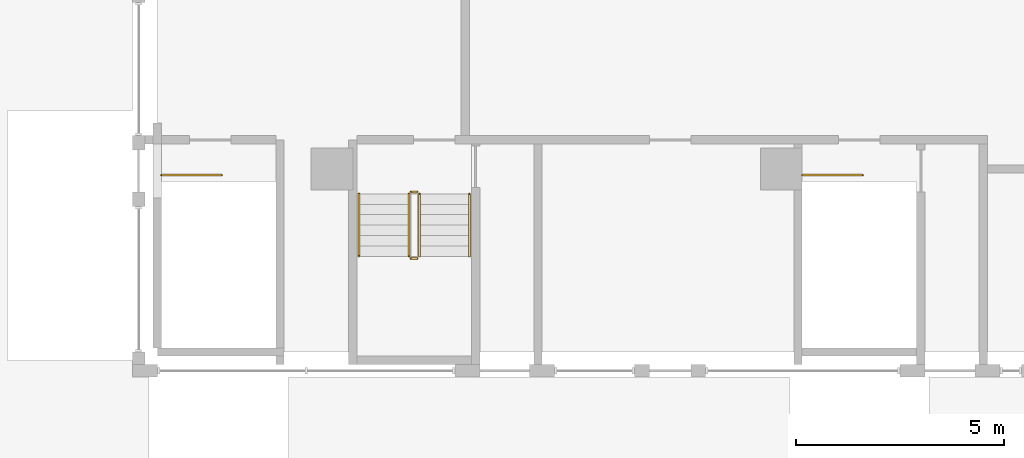
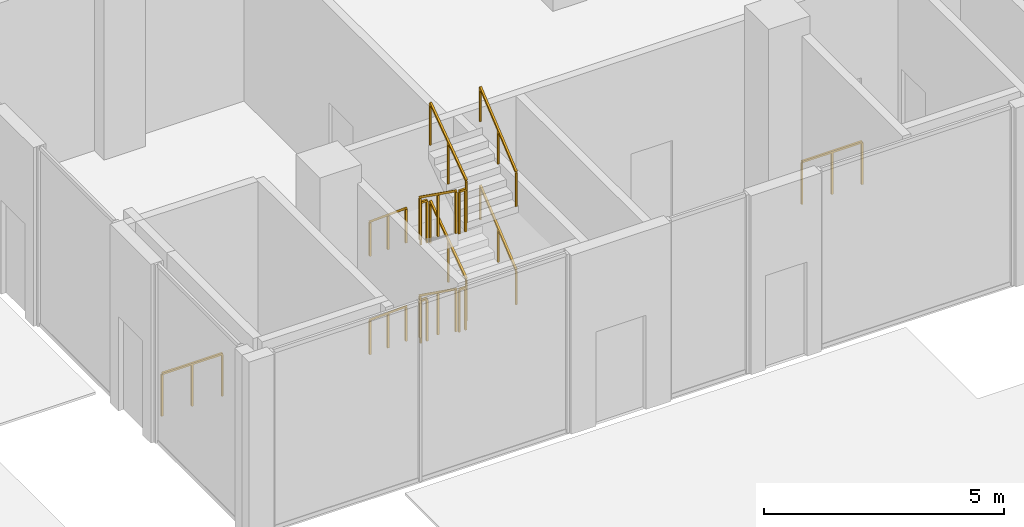
# One storey, part 48 of 57: 14 railings.
"""IFC4 building model written with IfcOpenShell, lengths in metres."""

import ifcopenshell
import ifcopenshell.guid

model = None  # the IFC model being written
_history = None  # IfcOwnerHistory: only IFC2X3 demands one
_inside = {}  # id of a spatial element -> (the spatial element, [elements in it])
_under = {}  # id of a project, library or spatial element -> (it, [spatial elements below it])
_declared = {}  # id of a project -> (the project, [libraries it declares])
_typed = {}  # id of a type object -> (the type object, [elements of that type])
_made_of = {}  # id of a material, layer set ... -> (it, [elements and type objects made of it])


def new_model(schema):
    """Start an empty IFC model of exactly this schema.

    Asked for "IFC4X3", IfcOpenShell would pick the latest addendum, in which some entities
    have other attributes; the version numbers below select the first issue.
    IFC2X3 requires an IfcOwnerHistory on every rooted entity: one is made here for all.
    """
    global model, _history
    if schema == "IFC4X3":
        model = ifcopenshell.file(schema_version=(4, 3, 0, 0))
    else:
        model = ifcopenshell.file(schema=schema)
    _inside.clear()
    _under.clear()
    _declared.clear()
    _typed.clear()
    _made_of.clear()
    _history = None
    if model.schema == "IFC2X3":
        org = make("IfcOrganization", Name="unknown")
        user = make(
            "IfcPersonAndOrganization",
            ThePerson=make("IfcPerson", FamilyName="unknown"),
            TheOrganization=org,
        )
        app = make(
            "IfcApplication",
            ApplicationDeveloper=org,
            Version="unknown",
            ApplicationFullName="unknown",
            ApplicationIdentifier="unknown",
        )
        _history = make(
            "IfcOwnerHistory",
            OwningUser=user,
            OwningApplication=app,
            ChangeAction="ADDED",
            CreationDate=0,
        )
    return model


def make(cls, **values):
    """One entity of the class cls with the attributes given. An attribute that is None is left unset."""
    return model.create_entity(
        cls, **{name: value for name, value in values.items() if value is not None}
    )


def rooted(cls, **values):
    """An entity with a GlobalId (a new one), such as an element, a storey or a relation."""
    return make(cls, GlobalId=ifcopenshell.guid.new(), OwnerHistory=_history, **values)


def si_unit(unit_type, name, prefix=None):
    """IfcSIUnit, for example si_unit("LENGTHUNIT", "METRE", prefix="MILLI")."""
    return make("IfcSIUnit", UnitType=unit_type, Prefix=prefix, Name=name)


def assignment(units):
    """IfcUnitAssignment: the units of a project."""
    return None if units is None else make("IfcUnitAssignment", Units=units)


def point(xyz):
    """IfcCartesianPoint."""
    return None if xyz is None else make("IfcCartesianPoint", Coordinates=xyz)


def direction(xyz):
    """IfcDirection."""
    return None if xyz is None else make("IfcDirection", DirectionRatios=xyz)


def frame(location, z_axis=None, x_axis=None):
    """IfcAxis2Placement3D, a coordinate frame: its origin and axes. An axis left out is left unset."""
    return make(
        "IfcAxis2Placement3D",
        Location=point(location),
        Axis=direction(z_axis),
        RefDirection=direction(x_axis),
    )


def frame_2d(location, x_axis=None):
    """IfcAxis2Placement2D, a coordinate frame in the plane: its origin and x axis."""
    return make(
        "IfcAxis2Placement2D", Location=point(location), RefDirection=direction(x_axis)
    )


def origin():
    """The frame at (0, 0, 0) with its axes left unset."""
    return frame((0.0, 0.0, 0.0))


def origin_2d():
    """The frame at (0, 0) in the plane with its x axis left unset."""
    return frame_2d((0.0, 0.0))


def place(relative_to, where):
    """IfcLocalPlacement: puts the frame where relative to a parent placement (None: the world)."""
    return make(
        "IfcLocalPlacement", PlacementRelTo=relative_to, RelativePlacement=where
    )


def context(
    kind, dimensions, precision=None, world=None, true_north=None, identifier=None
):
    """IfcGeometricRepresentationContext, for example the 3D "Model" context."""
    return make(
        "IfcGeometricRepresentationContext",
        ContextIdentifier=identifier,
        ContextType=kind,
        CoordinateSpaceDimension=dimensions,
        Precision=precision,
        WorldCoordinateSystem=world,
        TrueNorth=true_north,
    )


def subcontext(parent, identifier, kind, view, scale=None):
    """IfcGeometricRepresentationSubContext, for example "Body" below "Model"."""
    return make(
        "IfcGeometricRepresentationSubContext",
        ContextIdentifier=identifier,
        ContextType=kind,
        ParentContext=parent,
        TargetScale=scale,
        TargetView=view,
    )


def project(units=None, contexts=None):
    """IfcProject with its units and contexts."""
    return rooted(
        "IfcProject",
        Name="project",
        RepresentationContexts=contexts,
        UnitsInContext=assignment(units),
    )


def spatial(cls, under=None, at=None, **own):
    """A site, building, storey or space (cls), placed at a placement, below another one or the project."""
    s = rooted(cls, ObjectPlacement=at, **own)
    if under is not None:
        _under.setdefault(under.id(), (under, []))[1].append(s)
    return s


def profile(cls, at=None, kind="AREA", **sizes):
    """A parametric profile (cls). Its sizes go by their IFC names, for example OverallWidth=200.0."""
    return make(cls, ProfileType=kind, Position=at, **sizes)


def rectangle(**sizes):
    """IfcRectangleProfileDef."""
    return profile("IfcRectangleProfileDef", **sizes)


def extrude(swept, where, along, depth):
    """IfcExtrudedAreaSolid: the profile swept, set in the frame where, extruded along a direction by depth."""
    return make(
        "IfcExtrudedAreaSolid",
        SweptArea=swept,
        Position=where,
        ExtrudedDirection=direction(along),
        Depth=depth,
    )


def shape(context_of_items, identifier, shape_type, items):
    """IfcShapeRepresentation: the items that make up one representation, for example the "Body"."""
    return make(
        "IfcShapeRepresentation",
        ContextOfItems=context_of_items,
        RepresentationIdentifier=identifier,
        RepresentationType=shape_type,
        Items=items,
    )


def material(Name=None, Category=None):
    """IfcMaterial."""
    return make("IfcMaterial", Name=Name, Category=Category)


def made_of(thing, what):
    """Note that an element or type object is made of a material, layer set ...; save() writes the relation."""
    if what is not None:
        _made_of.setdefault(what.id(), (what, []))[1].append(thing)
    return thing


def type_object(cls, material=None, **own):
    """A type object (cls), such as IfcWallType, which elements share."""
    return made_of(rooted(cls, **own), material)


def element(
    cls,
    number,
    at=None,
    inside=None,
    cuts=None,
    type_object=None,
    material=None,
    context=None,
    identifier="Body",
    shape_type=None,
    held_by="IfcProductDefinitionShape",
    body=None,
    shapes=None,
    **own,
):
    """One element of the class cls, such as IfcWall. Its Tag is "e" and its number.

    at: its placement. inside: the storey or other place that contains it. cuts: it is an
    opening in that element (IfcRelVoidsElement). A single representation is given by context,
    identifier, shape_type and body (its items); several are given by shapes. held_by: the class
    of the entity that holds the representations. save() writes the other relations.
    """
    e = rooted(cls, Tag="e%d" % number, ObjectPlacement=at, **own)
    if body is not None:
        shapes = [shape(context, identifier, shape_type, body)]
    if shapes is not None:
        e.Representation = make(held_by, Representations=shapes)
    if inside is not None:
        _inside.setdefault(inside.id(), (inside, []))[1].append(e)
    if cuts is not None:
        rooted(
            "IfcRelVoidsElement", RelatingBuildingElement=cuts, RelatedOpeningElement=e
        )
    if type_object is not None:
        _typed.setdefault(type_object.id(), (type_object, []))[1].append(e)
    return made_of(e, material)


def aggregate(whole, parts):
    """IfcRelAggregates: a whole, such as a stair, and the parts it consists of."""
    return rooted("IfcRelAggregates", RelatingObject=whole, RelatedObjects=parts)


def save(model, path):
    """Write the relations noted so far, then the file.

    IfcRelAggregates (storeys below a building ...), IfcRelContainedInSpatialStructure (elements
    in a storey), IfcRelDefinesByType, IfcRelAssociatesMaterial and IfcRelDeclares: one each for
    every whole, place, type object, material and project.
    """
    for whole, parts in _under.values():
        aggregate(whole, parts)
    for where, things in _inside.values():
        rooted(
            "IfcRelContainedInSpatialStructure",
            RelatedElements=things,
            RelatingStructure=where,
        )
    for kind, things in _typed.values():
        rooted("IfcRelDefinesByType", RelatedObjects=things, RelatingType=kind)
    for what, things in _made_of.values():
        rooted("IfcRelAssociatesMaterial", RelatedObjects=things, RelatingMaterial=what)
    for by, libraries in _declared.values():
        rooted("IfcRelDeclares", RelatingContext=by, RelatedDefinitions=libraries)
    model.write(path)


model = new_model("IFC4")

# Units and contexts
model_context = context("Model", 3, precision=1e-05, world=origin(), true_north=direction((0.0, 1.0)))
body_context = subcontext(model_context, "Body", "Model", "MODEL_VIEW")
ifc_project = project(units=[si_unit("LENGTHUNIT", "METRE"), si_unit("AREAUNIT", "SQUARE_METRE"), si_unit("VOLUMEUNIT", "CUBIC_METRE"), si_unit("PLANEANGLEUNIT", "RADIAN"), si_unit("MASSUNIT", "GRAM", prefix="KILO")], contexts=[model_context])

# Site, building, storey
site_placement = place(None, origin())
site = spatial("IfcSite", under=ifc_project, at=site_placement, CompositionType="ELEMENT")
building_placement = place(site_placement, origin())
building = spatial("IfcBuilding", under=site, at=building_placement, Name="Beryl Residences", CompositionType="ELEMENT")
storey_placement = place(building_placement, origin())
storey = spatial("IfcBuildingStorey", under=building, at=storey_placement, Name="L00", CompositionType="ELEMENT", Elevation=0.0)

# Railings
ifc_material_1 = material(Name="Stainless steel balustrade with glass infill", Category="steel")
railing_type_1 = type_object("IfcRailingType", Name="SG1 stair guard 1100 mm", PredefinedType="GUARDRAIL", material=ifc_material_1)
for number, where, name in (
    (1, (-47.300048828125, -27.14990234375, 0.0), "L00 BS-4 top well guard 1"),
    (2, (-31.89990234375, -27.14990234375, 0.0), "L00 BS-5 top well guard 1"),
):
    element("IfcRailing", number, at=place(storey_placement, frame(where)), inside=storey, type_object=railing_type_1, Name=name, PredefinedType="GUARDRAIL", context=body_context, shape_type="SweptSolid", body=[
        extrude(rectangle(XDim=0.048095703125, YDim=0.048095703125, at=origin_2d()), frame((0.0, 0.0, 1.076171875), z_axis=(1.0, 0.0, 0.0), x_axis=(0.0, 1.0, 0.0)), (0.0, 0.0, 1.0), 1.449951171875),
        extrude(rectangle(XDim=0.0419921875, YDim=0.0419921875, at=origin_2d()), origin(), (0.0, 0.0, 1.0), 1.052001953125),
        extrude(rectangle(XDim=0.0419921875, YDim=0.0419921875, at=origin_2d()), frame((0.72509765625, 0.0, 0.0)), (0.0, 0.0, 1.0), 1.052001953125),
        extrude(rectangle(XDim=0.0419921875, YDim=0.0419921875, at=origin_2d()), frame((1.449951171875, 0.0, 0.0)), (0.0, 0.0, 1.0), 1.052001953125),
    ])
railing_1_placement = place(storey_placement, frame((-41.35009765625, -27.60009765625, 0.178466796875)))
element("IfcRailing", 3, at=railing_1_placement, inside=storey, type_object=railing_type_1, Name="L00 PS-4 stair guard 1", PredefinedType="GUARDRAIL", context=body_context, shape_type="SweptSolid", body=[
    extrude(rectangle(XDim=0.048095703125, YDim=0.048095703125, at=origin_2d()), frame((0.0, 0.0, 1.076171875), z_axis=(0.0, -0.813706624549, 0.581275777205), x_axis=(1.0, 0.0, 0.0)), (0.0, 0.0, 1.0), 1.843505859375),
    extrude(rectangle(XDim=0.0419921875, YDim=0.0419921875, at=origin_2d()), origin(), (0.0, 0.0, 1.0), 1.052001953125),
    extrude(rectangle(XDim=0.0419921875, YDim=0.0419921875, at=origin_2d()), frame((0.0, -0.75, 0.53564453125)), (0.0, 0.0, 1.0), 1.052001953125),
    extrude(rectangle(XDim=0.0419921875, YDim=0.0419921875, at=origin_2d()), frame((0.0, -1.5, 1.071533203125)), (0.0, 0.0, 1.0), 1.052001953125),
])
railing_2_placement = place(storey_placement, frame((-41.300048828125, -29.14990234375, 1.25)))
element("IfcRailing", 4, at=railing_2_placement, inside=storey, type_object=railing_type_1, Name="L00 PS-4 stair guard 2", PredefinedType="GUARDRAIL", context=body_context, shape_type="SweptSolid", body=[
    extrude(rectangle(XDim=0.048095703125, YDim=0.048095703125, at=origin_2d()), frame((0.0, 0.0, 1.076171875), z_axis=(1.0, 0.0, 0.0), x_axis=(0.0, 1.0, 0.0)), (0.0, 0.0, 1.0), 0.150146484375),
    extrude(rectangle(XDim=0.0419921875, YDim=0.0419921875, at=origin_2d()), origin(), (0.0, 0.0, 1.0), 1.052001953125),
    extrude(rectangle(XDim=0.0419921875, YDim=0.0419921875, at=origin_2d()), frame((0.150146484375, 0.0, 0.0)), (0.0, 0.0, 1.0), 1.052001953125),
])
railing_3_placement = place(storey_placement, frame((-41.10009765625, -29.10009765625, 1.428466796875)))
element("IfcRailing", 5, at=railing_3_placement, inside=storey, type_object=railing_type_1, Name="L00 PS-4 stair guard 3", PredefinedType="GUARDRAIL", context=body_context, shape_type="SweptSolid", body=[
    extrude(rectangle(XDim=0.048095703125, YDim=0.048095703125, at=origin_2d()), frame((0.0, 0.0, 1.076171875), z_axis=(0.0, 0.813706624549, 0.581275777205), x_axis=(-1.0, 0.0, 0.0)), (0.0, 0.0, 1.0), 1.843505859375),
    extrude(rectangle(XDim=0.0419921875, YDim=0.0419921875, at=origin_2d()), origin(), (0.0, 0.0, 1.0), 1.052001953125),
    extrude(rectangle(XDim=0.0419921875, YDim=0.0419921875, at=origin_2d()), frame((0.0, 0.75, 0.53564453125)), (0.0, 0.0, 1.0), 1.052001953125),
    extrude(rectangle(XDim=0.0419921875, YDim=0.0419921875, at=origin_2d()), frame((0.0, 1.5, 1.071533203125)), (0.0, 0.0, 1.0), 1.052001953125),
])
railing_4_placement = place(storey_placement, frame((-41.300048828125, -27.550048828125, 2.5)))
element("IfcRailing", 6, at=railing_4_placement, inside=storey, type_object=railing_type_1, Name="L00 PS-4 stair guard 4", PredefinedType="GUARDRAIL", context=body_context, shape_type="SweptSolid", body=[
    extrude(rectangle(XDim=0.048095703125, YDim=0.048095703125, at=origin_2d()), frame((0.0, 0.0, 1.076171875), z_axis=(1.0, 0.0, 0.0), x_axis=(0.0, 1.0, 0.0)), (0.0, 0.0, 1.0), 0.150146484375),
    extrude(rectangle(XDim=0.0419921875, YDim=0.0419921875, at=origin_2d()), origin(), (0.0, 0.0, 1.0), 1.052001953125),
    extrude(rectangle(XDim=0.0419921875, YDim=0.0419921875, at=origin_2d()), frame((0.150146484375, 0.0, 0.0)), (0.0, 0.0, 1.0), 1.052001953125),
])
railing_5_placement = place(storey_placement, frame((-41.35009765625, -27.60009765625, 2.678466796875)))
element("IfcRailing", 7, at=railing_5_placement, inside=storey, type_object=railing_type_1, Name="L00 PS-4 stair guard 5", PredefinedType="GUARDRAIL", context=body_context, shape_type="SweptSolid", body=[
    extrude(rectangle(XDim=0.048095703125, YDim=0.048095703125, at=origin_2d()), frame((0.0, 0.0, 1.076171875), z_axis=(0.0, -0.813706624549, 0.581275777205), x_axis=(1.0, 0.0, 0.0)), (0.0, 0.0, 1.0), 1.843505859375),
    extrude(rectangle(XDim=0.0419921875, YDim=0.0419921875, at=origin_2d()), origin(), (0.0, 0.0, 1.0), 1.052001953125),
    extrude(rectangle(XDim=0.0419921875, YDim=0.0419921875, at=origin_2d()), frame((0.0, -0.75, 0.53564453125)), (0.0, 0.0, 1.0), 1.052001953125),
    extrude(rectangle(XDim=0.0419921875, YDim=0.0419921875, at=origin_2d()), frame((0.0, -1.5, 1.071533203125)), (0.0, 0.0, 1.0), 1.052001953125),
])
railing_6_placement = place(storey_placement, frame((-41.300048828125, -29.14990234375, 3.75)))
element("IfcRailing", 8, at=railing_6_placement, inside=storey, type_object=railing_type_1, Name="L00 PS-4 stair guard 6", PredefinedType="GUARDRAIL", context=body_context, shape_type="SweptSolid", body=[
    extrude(rectangle(XDim=0.048095703125, YDim=0.048095703125, at=origin_2d()), frame((0.0, 0.0, 1.076171875), z_axis=(1.0, 0.0, 0.0), x_axis=(0.0, 1.0, 0.0)), (0.0, 0.0, 1.0), 0.150146484375),
    extrude(rectangle(XDim=0.0419921875, YDim=0.0419921875, at=origin_2d()), origin(), (0.0, 0.0, 1.0), 1.052001953125),
    extrude(rectangle(XDim=0.0419921875, YDim=0.0419921875, at=origin_2d()), frame((0.150146484375, 0.0, 0.0)), (0.0, 0.0, 1.0), 1.052001953125),
])
railing_7_placement = place(storey_placement, frame((-41.10009765625, -29.10009765625, 3.928466796875)))
element("IfcRailing", 9, at=railing_7_placement, inside=storey, type_object=railing_type_1, Name="L00 PS-4 stair guard 7", PredefinedType="GUARDRAIL", context=body_context, shape_type="SweptSolid", body=[
    extrude(rectangle(XDim=0.048095703125, YDim=0.048095703125, at=origin_2d()), frame((0.0, 0.0, 1.076171875), z_axis=(0.0, 0.813706624549, 0.581275777205), x_axis=(-1.0, 0.0, 0.0)), (0.0, 0.0, 1.0), 1.843505859375),
    extrude(rectangle(XDim=0.0419921875, YDim=0.0419921875, at=origin_2d()), origin(), (0.0, 0.0, 1.0), 1.052001953125),
    extrude(rectangle(XDim=0.0419921875, YDim=0.0419921875, at=origin_2d()), frame((0.0, 0.75, 0.53564453125)), (0.0, 0.0, 1.0), 1.052001953125),
    extrude(rectangle(XDim=0.0419921875, YDim=0.0419921875, at=origin_2d()), frame((0.0, 1.5, 1.071533203125)), (0.0, 0.0, 1.0), 1.052001953125),
])
railing_8_placement = place(storey_placement, frame((-41.300048828125, -27.550048828125, 0.0)))
element("IfcRailing", 10, at=railing_8_placement, inside=storey, type_object=railing_type_1, Name="L00 PS-4 stair guard 8", PredefinedType="GUARDRAIL", context=body_context, shape_type="SweptSolid", body=[
    extrude(rectangle(XDim=0.048095703125, YDim=0.048095703125, at=origin_2d()), frame((0.0, 0.0, 1.076171875), z_axis=(1.0, 0.0, 0.0), x_axis=(0.0, 1.0, 0.0)), (0.0, 0.0, 1.0), 0.150146484375),
    extrude(rectangle(XDim=0.0419921875, YDim=0.0419921875, at=origin_2d()), origin(), (0.0, 0.0, 1.0), 1.052001953125),
    extrude(rectangle(XDim=0.0419921875, YDim=0.0419921875, at=origin_2d()), frame((0.150146484375, 0.0, 0.0)), (0.0, 0.0, 1.0), 1.052001953125),
])
ifc_material_2 = material(Name="Stainless steel handrail", Category="steel")
railing_type_2 = type_object("IfcRailingType", Name="SRL1 stair handrail 900 mm", PredefinedType="HANDRAIL", material=ifc_material_2)
railing_9_placement = place(storey_placement, frame((-42.550048828125, -27.60009765625, 0.178466796875)))
element("IfcRailing", 11, at=railing_9_placement, inside=storey, type_object=railing_type_2, Name="L00 PS-4 stair handrail 1", PredefinedType="HANDRAIL", context=body_context, shape_type="SweptSolid", body=[
    extrude(rectangle(XDim=0.048095703125, YDim=0.048095703125, at=origin_2d()), frame((0.0, 0.0, 0.8759765625), z_axis=(0.0, -0.768221279597, 0.640184399664), x_axis=(1.0, 0.0, 0.0)), (0.0, 0.0, 1.0), 1.95263671875),
    extrude(rectangle(XDim=0.0419921875, YDim=0.0419921875, at=origin_2d()), origin(), (0.0, 0.0, 1.0), 0.851806640625),
    extrude(rectangle(XDim=0.0419921875, YDim=0.0419921875, at=origin_2d()), frame((0.0, -0.75, 0.625)), (0.0, 0.0, 1.0), 0.851806640625),
    extrude(rectangle(XDim=0.0419921875, YDim=0.0419921875, at=origin_2d()), frame((0.0, -1.5, 1.25)), (0.0, 0.0, 1.0), 0.851806640625),
])
railing_10_placement = place(storey_placement, frame((-39.89990234375, -29.10009765625, 1.428466796875)))
element("IfcRailing", 12, at=railing_10_placement, inside=storey, type_object=railing_type_2, Name="L00 PS-4 stair handrail 2", PredefinedType="HANDRAIL", context=body_context, shape_type="SweptSolid", body=[
    extrude(rectangle(XDim=0.048095703125, YDim=0.048095703125, at=origin_2d()), frame((0.0, 0.0, 0.8759765625), z_axis=(0.0, 0.768221279597, 0.640184399664), x_axis=(-1.0, 0.0, 0.0)), (0.0, 0.0, 1.0), 1.95263671875),
    extrude(rectangle(XDim=0.0419921875, YDim=0.0419921875, at=origin_2d()), origin(), (0.0, 0.0, 1.0), 0.851806640625),
    extrude(rectangle(XDim=0.0419921875, YDim=0.0419921875, at=origin_2d()), frame((0.0, 0.75, 0.625)), (0.0, 0.0, 1.0), 0.851806640625),
    extrude(rectangle(XDim=0.0419921875, YDim=0.0419921875, at=origin_2d()), frame((0.0, 1.5, 1.25)), (0.0, 0.0, 1.0), 0.851806640625),
])
railing_11_placement = place(storey_placement, frame((-42.550048828125, -27.60009765625, 2.678466796875)))
element("IfcRailing", 13, at=railing_11_placement, inside=storey, type_object=railing_type_2, Name="L00 PS-4 stair handrail 3", PredefinedType="HANDRAIL", context=body_context, shape_type="SweptSolid", body=[
    extrude(rectangle(XDim=0.048095703125, YDim=0.048095703125, at=origin_2d()), frame((0.0, 0.0, 0.8759765625), z_axis=(0.0, -0.768221279597, 0.640184399664), x_axis=(1.0, 0.0, 0.0)), (0.0, 0.0, 1.0), 1.95263671875),
    extrude(rectangle(XDim=0.0419921875, YDim=0.0419921875, at=origin_2d()), origin(), (0.0, 0.0, 1.0), 0.851806640625),
    extrude(rectangle(XDim=0.0419921875, YDim=0.0419921875, at=origin_2d()), frame((0.0, -0.75, 0.625)), (0.0, 0.0, 1.0), 0.851806640625),
    extrude(rectangle(XDim=0.0419921875, YDim=0.0419921875, at=origin_2d()), frame((0.0, -1.5, 1.25)), (0.0, 0.0, 1.0), 0.851806640625),
])
railing_12_placement = place(storey_placement, frame((-39.89990234375, -29.10009765625, 3.928466796875)))
element("IfcRailing", 14, at=railing_12_placement, inside=storey, type_object=railing_type_2, Name="L00 PS-4 stair handrail 4", PredefinedType="HANDRAIL", context=body_context, shape_type="SweptSolid", body=[
    extrude(rectangle(XDim=0.048095703125, YDim=0.048095703125, at=origin_2d()), frame((0.0, 0.0, 0.8759765625), z_axis=(0.0, 0.768221279597, 0.640184399664), x_axis=(-1.0, 0.0, 0.0)), (0.0, 0.0, 1.0), 1.95263671875),
    extrude(rectangle(XDim=0.0419921875, YDim=0.0419921875, at=origin_2d()), origin(), (0.0, 0.0, 1.0), 0.851806640625),
    extrude(rectangle(XDim=0.0419921875, YDim=0.0419921875, at=origin_2d()), frame((0.0, 0.75, 0.625)), (0.0, 0.0, 1.0), 0.851806640625),
    extrude(rectangle(XDim=0.0419921875, YDim=0.0419921875, at=origin_2d()), frame((0.0, 1.5, 1.25)), (0.0, 0.0, 1.0), 0.851806640625),
])

save(model, "model.ifc")
